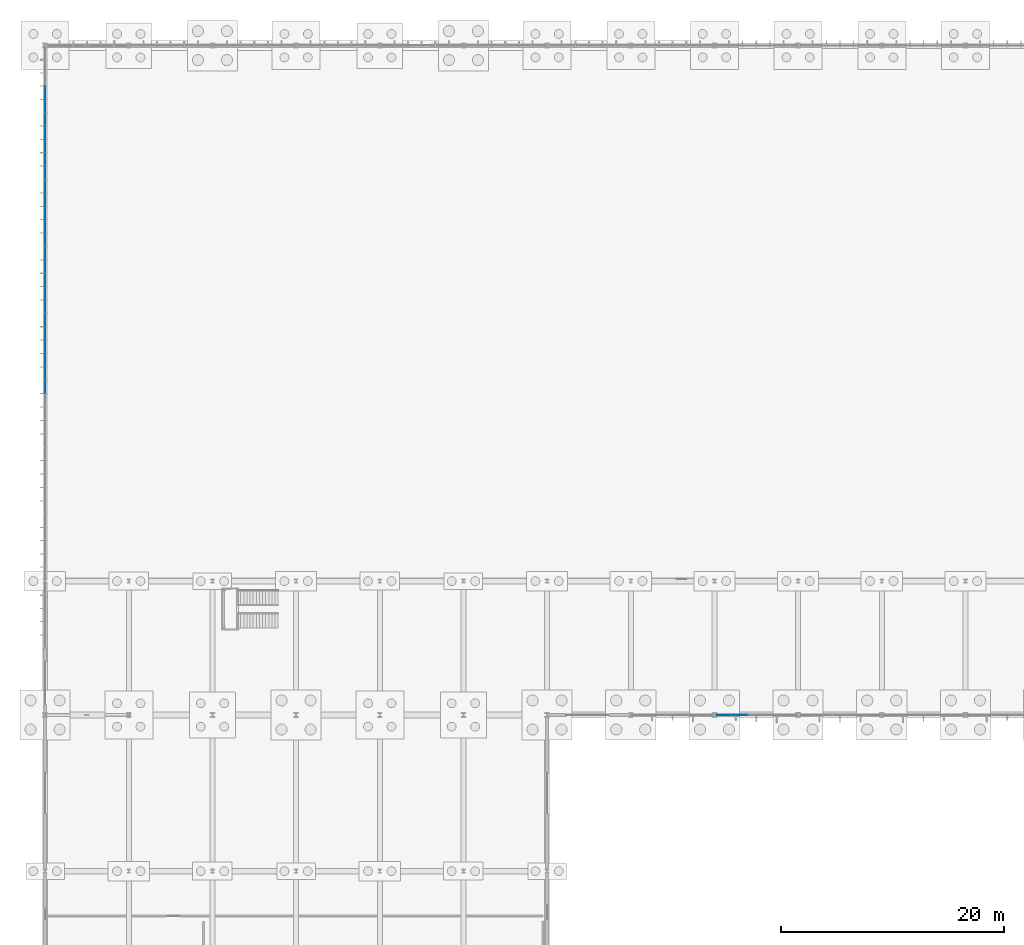
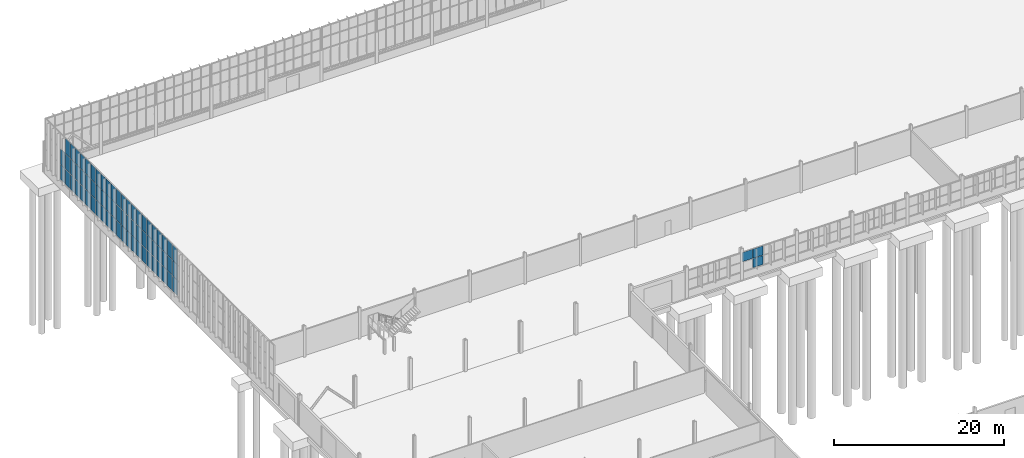
# One storey, part 87 of 136: 71 plates, 7 elements without a shape of their own.
"""IFC4 building model written with IfcOpenShell, lengths in metres."""

import ifcopenshell
import ifcopenshell.guid

model = None  # the IFC model being written
_history = None  # IfcOwnerHistory: only IFC2X3 demands one
_inside = {}  # id of a spatial element -> (the spatial element, [elements in it])
_under = {}  # id of a project, library or spatial element -> (it, [spatial elements below it])
_declared = {}  # id of a project -> (the project, [libraries it declares])
_typed = {}  # id of a type object -> (the type object, [elements of that type])
_made_of = {}  # id of a material, layer set ... -> (it, [elements and type objects made of it])


def new_model(schema):
    """Start an empty IFC model of exactly this schema.

    Asked for "IFC4X3", IfcOpenShell would pick the latest addendum, in which some entities
    have other attributes; the version numbers below select the first issue.
    IFC2X3 requires an IfcOwnerHistory on every rooted entity: one is made here for all.
    """
    global model, _history
    if schema == "IFC4X3":
        model = ifcopenshell.file(schema_version=(4, 3, 0, 0))
    else:
        model = ifcopenshell.file(schema=schema)
    _inside.clear()
    _under.clear()
    _declared.clear()
    _typed.clear()
    _made_of.clear()
    _history = None
    if model.schema == "IFC2X3":
        org = make("IfcOrganization", Name="unknown")
        user = make(
            "IfcPersonAndOrganization",
            ThePerson=make("IfcPerson", FamilyName="unknown"),
            TheOrganization=org,
        )
        app = make(
            "IfcApplication",
            ApplicationDeveloper=org,
            Version="unknown",
            ApplicationFullName="unknown",
            ApplicationIdentifier="unknown",
        )
        _history = make(
            "IfcOwnerHistory",
            OwningUser=user,
            OwningApplication=app,
            ChangeAction="ADDED",
            CreationDate=0,
        )
    return model


def make(cls, **values):
    """One entity of the class cls with the attributes given. An attribute that is None is left unset."""
    return model.create_entity(
        cls, **{name: value for name, value in values.items() if value is not None}
    )


def rooted(cls, **values):
    """An entity with a GlobalId (a new one), such as an element, a storey or a relation."""
    return make(cls, GlobalId=ifcopenshell.guid.new(), OwnerHistory=_history, **values)


def si_unit(unit_type, name, prefix=None):
    """IfcSIUnit, for example si_unit("LENGTHUNIT", "METRE", prefix="MILLI")."""
    return make("IfcSIUnit", UnitType=unit_type, Prefix=prefix, Name=name)


def assignment(units):
    """IfcUnitAssignment: the units of a project."""
    return None if units is None else make("IfcUnitAssignment", Units=units)


def point(xyz):
    """IfcCartesianPoint."""
    return None if xyz is None else make("IfcCartesianPoint", Coordinates=xyz)


def direction(xyz):
    """IfcDirection."""
    return None if xyz is None else make("IfcDirection", DirectionRatios=xyz)


def frame(location, z_axis=None, x_axis=None):
    """IfcAxis2Placement3D, a coordinate frame: its origin and axes. An axis left out is left unset."""
    return make(
        "IfcAxis2Placement3D",
        Location=point(location),
        Axis=direction(z_axis),
        RefDirection=direction(x_axis),
    )


def frame_2d(location, x_axis=None):
    """IfcAxis2Placement2D, a coordinate frame in the plane: its origin and x axis."""
    return make(
        "IfcAxis2Placement2D", Location=point(location), RefDirection=direction(x_axis)
    )


def origin():
    """The frame at (0, 0, 0) with its axes left unset."""
    return frame((0.0, 0.0, 0.0))


def origin_2d():
    """The frame at (0, 0) in the plane with its x axis left unset."""
    return frame_2d((0.0, 0.0))


def place(relative_to, where):
    """IfcLocalPlacement: puts the frame where relative to a parent placement (None: the world)."""
    return make(
        "IfcLocalPlacement", PlacementRelTo=relative_to, RelativePlacement=where
    )


def context(
    kind, dimensions, precision=None, world=None, true_north=None, identifier=None
):
    """IfcGeometricRepresentationContext, for example the 3D "Model" context."""
    return make(
        "IfcGeometricRepresentationContext",
        ContextIdentifier=identifier,
        ContextType=kind,
        CoordinateSpaceDimension=dimensions,
        Precision=precision,
        WorldCoordinateSystem=world,
        TrueNorth=true_north,
    )


def subcontext(parent, identifier, kind, view, scale=None):
    """IfcGeometricRepresentationSubContext, for example "Body" below "Model"."""
    return make(
        "IfcGeometricRepresentationSubContext",
        ContextIdentifier=identifier,
        ContextType=kind,
        ParentContext=parent,
        TargetScale=scale,
        TargetView=view,
    )


def project(units=None, contexts=None):
    """IfcProject with its units and contexts."""
    return rooted(
        "IfcProject",
        Name="project",
        RepresentationContexts=contexts,
        UnitsInContext=assignment(units),
    )


def spatial(cls, under=None, at=None, **own):
    """A site, building, storey or space (cls), placed at a placement, below another one or the project."""
    s = rooted(cls, ObjectPlacement=at, **own)
    if under is not None:
        _under.setdefault(under.id(), (under, []))[1].append(s)
    return s


def profile(cls, at=None, kind="AREA", **sizes):
    """A parametric profile (cls). Its sizes go by their IFC names, for example OverallWidth=200.0."""
    return make(cls, ProfileType=kind, Position=at, **sizes)


def rectangle(**sizes):
    """IfcRectangleProfileDef."""
    return profile("IfcRectangleProfileDef", **sizes)


def extrude(swept, where, along, depth):
    """IfcExtrudedAreaSolid: the profile swept, set in the frame where, extruded along a direction by depth."""
    return make(
        "IfcExtrudedAreaSolid",
        SweptArea=swept,
        Position=where,
        ExtrudedDirection=direction(along),
        Depth=depth,
    )


def shape(context_of_items, identifier, shape_type, items):
    """IfcShapeRepresentation: the items that make up one representation, for example the "Body"."""
    return make(
        "IfcShapeRepresentation",
        ContextOfItems=context_of_items,
        RepresentationIdentifier=identifier,
        RepresentationType=shape_type,
        Items=items,
    )


def material(Name=None, Category=None):
    """IfcMaterial."""
    return make("IfcMaterial", Name=Name, Category=Category)


def layer(
    of_material, thickness, ventilated=None, Name=None, Category=None, Priority=None
):
    """IfcMaterialLayer: one layer of a wall or slab, of a material (None: an air gap)."""
    return make(
        "IfcMaterialLayer",
        Material=of_material,
        LayerThickness=thickness,
        IsVentilated=ventilated,
        Name=Name,
        Category=Category,
        Priority=Priority,
    )


def layer_set(layers, Name=None):
    """IfcMaterialLayerSet."""
    return make("IfcMaterialLayerSet", MaterialLayers=layers, LayerSetName=Name)


def made_of(thing, what):
    """Note that an element or type object is made of a material, layer set ...; save() writes the relation."""
    if what is not None:
        _made_of.setdefault(what.id(), (what, []))[1].append(thing)
    return thing


def type_object(cls, material=None, **own):
    """A type object (cls), such as IfcWallType, which elements share."""
    return made_of(rooted(cls, **own), material)


def element(
    cls,
    number,
    at=None,
    inside=None,
    cuts=None,
    type_object=None,
    material=None,
    context=None,
    identifier="Body",
    shape_type=None,
    held_by="IfcProductDefinitionShape",
    body=None,
    shapes=None,
    **own,
):
    """One element of the class cls, such as IfcWall. Its Tag is "e" and its number.

    at: its placement. inside: the storey or other place that contains it. cuts: it is an
    opening in that element (IfcRelVoidsElement). A single representation is given by context,
    identifier, shape_type and body (its items); several are given by shapes. held_by: the class
    of the entity that holds the representations. save() writes the other relations.
    """
    e = rooted(cls, Tag="e%d" % number, ObjectPlacement=at, **own)
    if body is not None:
        shapes = [shape(context, identifier, shape_type, body)]
    if shapes is not None:
        e.Representation = make(held_by, Representations=shapes)
    if inside is not None:
        _inside.setdefault(inside.id(), (inside, []))[1].append(e)
    if cuts is not None:
        rooted(
            "IfcRelVoidsElement", RelatingBuildingElement=cuts, RelatedOpeningElement=e
        )
    if type_object is not None:
        _typed.setdefault(type_object.id(), (type_object, []))[1].append(e)
    return made_of(e, material)


def aggregate(whole, parts):
    """IfcRelAggregates: a whole, such as a stair, and the parts it consists of."""
    return rooted("IfcRelAggregates", RelatingObject=whole, RelatedObjects=parts)


def save(model, path):
    """Write the relations noted so far, then the file.

    IfcRelAggregates (storeys below a building ...), IfcRelContainedInSpatialStructure (elements
    in a storey), IfcRelDefinesByType, IfcRelAssociatesMaterial and IfcRelDeclares: one each for
    every whole, place, type object, material and project.
    """
    for whole, parts in _under.values():
        aggregate(whole, parts)
    for where, things in _inside.values():
        rooted(
            "IfcRelContainedInSpatialStructure",
            RelatedElements=things,
            RelatingStructure=where,
        )
    for kind, things in _typed.values():
        rooted("IfcRelDefinesByType", RelatedObjects=things, RelatingType=kind)
    for what, things in _made_of.values():
        rooted("IfcRelAssociatesMaterial", RelatedObjects=things, RelatingMaterial=what)
    for by, libraries in _declared.values():
        rooted("IfcRelDeclares", RelatingContext=by, RelatedDefinitions=libraries)
    model.write(path)


model = new_model("IFC4")

# Units and contexts
model_context = context("Model", 3, precision=1e-05, world=origin(), true_north=direction((0.0, 1.0)))
body_context = subcontext(model_context, "Body", "Model", "MODEL_VIEW")
ifc_project = project(units=[si_unit("LENGTHUNIT", "METRE"), si_unit("AREAUNIT", "SQUARE_METRE"), si_unit("VOLUMEUNIT", "CUBIC_METRE"), si_unit("PLANEANGLEUNIT", "RADIAN"), si_unit("MASSUNIT", "GRAM", prefix="KILO")], contexts=[model_context])

# Site, building, storey
site_placement = place(None, origin())
site = spatial("IfcSite", under=ifc_project, at=site_placement, CompositionType="ELEMENT")
building_placement = place(site_placement, origin())
building = spatial("IfcBuilding", under=site, at=building_placement, Name="Solvenia Promenade Tram Depot", CompositionType="ELEMENT")
storey_placement = place(building_placement, origin())
storey = spatial("IfcBuildingStorey", under=building, at=storey_placement, Name="L00", CompositionType="ELEMENT", Elevation=0.0)

# Curtain wall, plates
ifc_material_1 = material(Name="Anodized aluminium AW-6063 T6", Category="aluminium")
ifc_layer_1 = layer(ifc_material_1, 0.159912109375, Name="Anodized aluminium AW-6063 T6", Category="aluminium")
ifc_layer_set_1 = layer_set([ifc_layer_1], Name="Anodized aluminium AW-6063 T6")
curtain_wall_type_1 = type_object("IfcCurtainWallType", Name="CW-Channel-1200", PredefinedType="NOTDEFINED", material=ifc_layer_set_1)
curtain_wall_1_placement = place(storey_placement, origin())
curtain_wall_1 = element("IfcCurtainWall", 1, at=curtain_wall_1_placement, inside=storey, type_object=curtain_wall_type_1, Name="Curtain Wall CW-V1W-05", PredefinedType="NOTDEFINED")
ifc_material_2 = material(Name="Low-iron translucent U-profile channel glass", Category="glass")
ifc_layer_2 = layer(ifc_material_2, 0.028076171875, Name="Low-iron translucent U-profile channel glass", Category="glass")
ifc_layer_set_2 = layer_set([ifc_layer_2], Name="Low-iron translucent U-profile channel glass")
plate_type_1 = type_object("IfcPlateType", Name="CWP-Panel-1", PredefinedType="CURTAIN_PANEL", material=ifc_layer_set_2)
plate_1_placement = place(storey_placement, frame((0.0, 95.386962890625, 1.2099609375), z_axis=(0.0, 0.0, 1.0), x_axis=(0.0, 1.0, 0.0)))
plate_1 = element("IfcPlate", 2, at=plate_1_placement, type_object=plate_type_1, Name="CW-1 panel 5.1", PredefinedType="CURTAIN_PANEL", context=body_context, shape_type="SweptSolid", body=[
    extrude(rectangle(XDim=1.1220703125, YDim=0.028076171875, at=origin_2d()), origin(), (0.0, 0.0, 1.0), 2.159912109375),
])
plate_2_placement = place(storey_placement, frame((0.0, 95.386962890625, 3.429931640625), z_axis=(0.0, 0.0, 1.0), x_axis=(0.0, 1.0, 0.0)))
plate_2 = element("IfcPlate", 3, at=plate_2_placement, type_object=plate_type_1, Name="CW-1 panel 5.2", PredefinedType="CURTAIN_PANEL", context=body_context, shape_type="SweptSolid", body=[
    extrude(rectangle(XDim=1.1220703125, YDim=0.028076171875, at=origin_2d()), origin(), (0.0, 0.0, 1.0), 2.18994140625),
])
plate_3_placement = place(storey_placement, frame((0.0, 95.386962890625, 5.68017578125), z_axis=(0.0, 0.0, 1.0), x_axis=(0.0, 1.0, 0.0)))
plate_3 = element("IfcPlate", 4, at=plate_3_placement, type_object=plate_type_1, Name="CW-1 panel 5.3", PredefinedType="CURTAIN_PANEL", context=body_context, shape_type="SweptSolid", body=[
    extrude(rectangle(XDim=1.1220703125, YDim=0.028076171875, at=origin_2d()), origin(), (0.0, 0.0, 1.0), 2.159912109375),
])
aggregate(curtain_wall_1, [plate_1, plate_2, plate_3])

curtain_wall_2_placement = place(storey_placement, origin())
curtain_wall_2 = element("IfcCurtainWall", 5, at=curtain_wall_2_placement, inside=storey, type_object=curtain_wall_type_1, Name="Curtain Wall CW-V1W-06", PredefinedType="NOTDEFINED")
plate_4_placement = place(storey_placement, frame((0.0, 96.613037109375, 1.2099609375), z_axis=(0.0, 0.0, 1.0), x_axis=(0.0, 1.0, 0.0)))
plate_4 = element("IfcPlate", 6, at=plate_4_placement, type_object=plate_type_1, Name="CW-1 panel 1.1", PredefinedType="CURTAIN_PANEL", context=body_context, shape_type="SweptSolid", body=[
    extrude(rectangle(XDim=1.1220703125, YDim=0.028076171875, at=origin_2d()), origin(), (0.0, 0.0, 1.0), 2.159912109375),
])
plate_5_placement = place(storey_placement, frame((0.0, 96.613037109375, 3.429931640625), z_axis=(0.0, 0.0, 1.0), x_axis=(0.0, 1.0, 0.0)))
plate_5 = element("IfcPlate", 7, at=plate_5_placement, type_object=plate_type_1, Name="CW-1 panel 1.2", PredefinedType="CURTAIN_PANEL", context=body_context, shape_type="SweptSolid", body=[
    extrude(rectangle(XDim=1.1220703125, YDim=0.028076171875, at=origin_2d()), origin(), (0.0, 0.0, 1.0), 2.18994140625),
])
plate_6_placement = place(storey_placement, frame((0.0, 96.613037109375, 5.68017578125), z_axis=(0.0, 0.0, 1.0), x_axis=(0.0, 1.0, 0.0)))
plate_6 = element("IfcPlate", 8, at=plate_6_placement, type_object=plate_type_1, Name="CW-1 panel 1.3", PredefinedType="CURTAIN_PANEL", context=body_context, shape_type="SweptSolid", body=[
    extrude(rectangle(XDim=1.1220703125, YDim=0.028076171875, at=origin_2d()), origin(), (0.0, 0.0, 1.0), 2.159912109375),
])
plate_7_placement = place(storey_placement, frame((0.0, 97.800048828125, 1.2099609375), z_axis=(0.0, 0.0, 1.0), x_axis=(0.0, 1.0, 0.0)))
plate_7 = element("IfcPlate", 9, at=plate_7_placement, type_object=plate_type_1, Name="CW-1 panel 2.1", PredefinedType="CURTAIN_PANEL", context=body_context, shape_type="SweptSolid", body=[
    extrude(rectangle(XDim=1.14794921875, YDim=0.028076171875, at=origin_2d()), origin(), (0.0, 0.0, 1.0), 2.159912109375),
])
plate_8_placement = place(storey_placement, frame((0.0, 97.800048828125, 3.429931640625), z_axis=(0.0, 0.0, 1.0), x_axis=(0.0, 1.0, 0.0)))
plate_8 = element("IfcPlate", 10, at=plate_8_placement, type_object=plate_type_1, Name="CW-1 panel 2.2", PredefinedType="CURTAIN_PANEL", context=body_context, shape_type="SweptSolid", body=[
    extrude(rectangle(XDim=1.14794921875, YDim=0.028076171875, at=origin_2d()), origin(), (0.0, 0.0, 1.0), 2.18994140625),
])
plate_9_placement = place(storey_placement, frame((0.0, 97.800048828125, 5.68017578125), z_axis=(0.0, 0.0, 1.0), x_axis=(0.0, 1.0, 0.0)))
plate_9 = element("IfcPlate", 11, at=plate_9_placement, type_object=plate_type_1, Name="CW-1 panel 2.3", PredefinedType="CURTAIN_PANEL", context=body_context, shape_type="SweptSolid", body=[
    extrude(rectangle(XDim=1.14794921875, YDim=0.028076171875, at=origin_2d()), origin(), (0.0, 0.0, 1.0), 2.159912109375),
])
plate_10_placement = place(storey_placement, frame((0.0, 99.0, 1.2099609375), z_axis=(0.0, 0.0, 1.0), x_axis=(0.0, 1.0, 0.0)))
plate_10 = element("IfcPlate", 12, at=plate_10_placement, type_object=plate_type_1, Name="CW-1 panel 3.1", PredefinedType="CURTAIN_PANEL", context=body_context, shape_type="SweptSolid", body=[
    extrude(rectangle(XDim=1.14794921875, YDim=0.028076171875, at=origin_2d()), origin(), (0.0, 0.0, 1.0), 2.159912109375),
])
plate_11_placement = place(storey_placement, frame((0.0, 99.0, 3.429931640625), z_axis=(0.0, 0.0, 1.0), x_axis=(0.0, 1.0, 0.0)))
plate_11 = element("IfcPlate", 13, at=plate_11_placement, type_object=plate_type_1, Name="CW-1 panel 3.2", PredefinedType="CURTAIN_PANEL", context=body_context, shape_type="SweptSolid", body=[
    extrude(rectangle(XDim=1.14794921875, YDim=0.028076171875, at=origin_2d()), origin(), (0.0, 0.0, 1.0), 2.18994140625),
])
plate_12_placement = place(storey_placement, frame((0.0, 99.0, 5.68017578125), z_axis=(0.0, 0.0, 1.0), x_axis=(0.0, 1.0, 0.0)))
plate_12 = element("IfcPlate", 14, at=plate_12_placement, type_object=plate_type_1, Name="CW-1 panel 3.3", PredefinedType="CURTAIN_PANEL", context=body_context, shape_type="SweptSolid", body=[
    extrude(rectangle(XDim=1.14794921875, YDim=0.028076171875, at=origin_2d()), origin(), (0.0, 0.0, 1.0), 2.159912109375),
])
plate_13_placement = place(storey_placement, frame((0.0, 100.199951171875, 1.2099609375), z_axis=(0.0, 0.0, 1.0), x_axis=(0.0, 1.0, 0.0)))
plate_13 = element("IfcPlate", 15, at=plate_13_placement, type_object=plate_type_1, Name="CW-1 panel 4.1", PredefinedType="CURTAIN_PANEL", context=body_context, shape_type="SweptSolid", body=[
    extrude(rectangle(XDim=1.14794921875, YDim=0.028076171875, at=origin_2d()), origin(), (0.0, 0.0, 1.0), 2.159912109375),
])
plate_14_placement = place(storey_placement, frame((0.0, 100.199951171875, 3.429931640625), z_axis=(0.0, 0.0, 1.0), x_axis=(0.0, 1.0, 0.0)))
plate_14 = element("IfcPlate", 16, at=plate_14_placement, type_object=plate_type_1, Name="CW-1 panel 4.2", PredefinedType="CURTAIN_PANEL", context=body_context, shape_type="SweptSolid", body=[
    extrude(rectangle(XDim=1.14794921875, YDim=0.028076171875, at=origin_2d()), origin(), (0.0, 0.0, 1.0), 2.18994140625),
])
plate_15_placement = place(storey_placement, frame((0.0, 100.199951171875, 5.68017578125), z_axis=(0.0, 0.0, 1.0), x_axis=(0.0, 1.0, 0.0)))
plate_15 = element("IfcPlate", 17, at=plate_15_placement, type_object=plate_type_1, Name="CW-1 panel 4.3", PredefinedType="CURTAIN_PANEL", context=body_context, shape_type="SweptSolid", body=[
    extrude(rectangle(XDim=1.14794921875, YDim=0.028076171875, at=origin_2d()), origin(), (0.0, 0.0, 1.0), 2.159912109375),
])
plate_16_placement = place(storey_placement, frame((0.0, 101.386962890625, 1.2099609375), z_axis=(0.0, 0.0, 1.0), x_axis=(0.0, 1.0, 0.0)))
plate_16 = element("IfcPlate", 18, at=plate_16_placement, type_object=plate_type_1, Name="CW-1 panel 5.1", PredefinedType="CURTAIN_PANEL", context=body_context, shape_type="SweptSolid", body=[
    extrude(rectangle(XDim=1.1220703125, YDim=0.028076171875, at=origin_2d()), origin(), (0.0, 0.0, 1.0), 2.159912109375),
])
plate_17_placement = place(storey_placement, frame((0.0, 101.386962890625, 3.429931640625), z_axis=(0.0, 0.0, 1.0), x_axis=(0.0, 1.0, 0.0)))
plate_17 = element("IfcPlate", 19, at=plate_17_placement, type_object=plate_type_1, Name="CW-1 panel 5.2", PredefinedType="CURTAIN_PANEL", context=body_context, shape_type="SweptSolid", body=[
    extrude(rectangle(XDim=1.1220703125, YDim=0.028076171875, at=origin_2d()), origin(), (0.0, 0.0, 1.0), 2.18994140625),
])
plate_18_placement = place(storey_placement, frame((0.0, 101.386962890625, 5.68017578125), z_axis=(0.0, 0.0, 1.0), x_axis=(0.0, 1.0, 0.0)))
plate_18 = element("IfcPlate", 20, at=plate_18_placement, type_object=plate_type_1, Name="CW-1 panel 5.3", PredefinedType="CURTAIN_PANEL", context=body_context, shape_type="SweptSolid", body=[
    extrude(rectangle(XDim=1.1220703125, YDim=0.028076171875, at=origin_2d()), origin(), (0.0, 0.0, 1.0), 2.159912109375),
])
aggregate(curtain_wall_2, [plate_4, plate_5, plate_6, plate_7, plate_8, plate_9, plate_10, plate_11, plate_12, plate_13, plate_14, plate_15, plate_16, plate_17, plate_18])

curtain_wall_3_placement = place(storey_placement, origin())
curtain_wall_3 = element("IfcCurtainWall", 21, at=curtain_wall_3_placement, inside=storey, type_object=curtain_wall_type_1, Name="Curtain Wall CW-V1W-07", PredefinedType="NOTDEFINED")
plate_19_placement = place(storey_placement, frame((0.0, 102.613037109375, 1.2099609375), z_axis=(0.0, 0.0, 1.0), x_axis=(0.0, 1.0, 0.0)))
plate_19 = element("IfcPlate", 22, at=plate_19_placement, type_object=plate_type_1, Name="CW-1 panel 1.1", PredefinedType="CURTAIN_PANEL", context=body_context, shape_type="SweptSolid", body=[
    extrude(rectangle(XDim=1.1220703125, YDim=0.028076171875, at=origin_2d()), origin(), (0.0, 0.0, 1.0), 2.159912109375),
])
plate_20_placement = place(storey_placement, frame((0.0, 102.613037109375, 3.429931640625), z_axis=(0.0, 0.0, 1.0), x_axis=(0.0, 1.0, 0.0)))
plate_20 = element("IfcPlate", 23, at=plate_20_placement, type_object=plate_type_1, Name="CW-1 panel 1.2", PredefinedType="CURTAIN_PANEL", context=body_context, shape_type="SweptSolid", body=[
    extrude(rectangle(XDim=1.1220703125, YDim=0.028076171875, at=origin_2d()), origin(), (0.0, 0.0, 1.0), 2.18994140625),
])
plate_21_placement = place(storey_placement, frame((0.0, 102.613037109375, 5.68017578125), z_axis=(0.0, 0.0, 1.0), x_axis=(0.0, 1.0, 0.0)))
plate_21 = element("IfcPlate", 24, at=plate_21_placement, type_object=plate_type_1, Name="CW-1 panel 1.3", PredefinedType="CURTAIN_PANEL", context=body_context, shape_type="SweptSolid", body=[
    extrude(rectangle(XDim=1.1220703125, YDim=0.028076171875, at=origin_2d()), origin(), (0.0, 0.0, 1.0), 2.159912109375),
])
plate_22_placement = place(storey_placement, frame((0.0, 103.800048828125, 1.2099609375), z_axis=(0.0, 0.0, 1.0), x_axis=(0.0, 1.0, 0.0)))
plate_22 = element("IfcPlate", 25, at=plate_22_placement, type_object=plate_type_1, Name="CW-1 panel 2.1", PredefinedType="CURTAIN_PANEL", context=body_context, shape_type="SweptSolid", body=[
    extrude(rectangle(XDim=1.14794921875, YDim=0.028076171875, at=origin_2d()), origin(), (0.0, 0.0, 1.0), 2.159912109375),
])
plate_23_placement = place(storey_placement, frame((0.0, 103.800048828125, 3.429931640625), z_axis=(0.0, 0.0, 1.0), x_axis=(0.0, 1.0, 0.0)))
plate_23 = element("IfcPlate", 26, at=plate_23_placement, type_object=plate_type_1, Name="CW-1 panel 2.2", PredefinedType="CURTAIN_PANEL", context=body_context, shape_type="SweptSolid", body=[
    extrude(rectangle(XDim=1.14794921875, YDim=0.028076171875, at=origin_2d()), origin(), (0.0, 0.0, 1.0), 2.18994140625),
])
plate_24_placement = place(storey_placement, frame((0.0, 103.800048828125, 5.68017578125), z_axis=(0.0, 0.0, 1.0), x_axis=(0.0, 1.0, 0.0)))
plate_24 = element("IfcPlate", 27, at=plate_24_placement, type_object=plate_type_1, Name="CW-1 panel 2.3", PredefinedType="CURTAIN_PANEL", context=body_context, shape_type="SweptSolid", body=[
    extrude(rectangle(XDim=1.14794921875, YDim=0.028076171875, at=origin_2d()), origin(), (0.0, 0.0, 1.0), 2.159912109375),
])
plate_25_placement = place(storey_placement, frame((0.0, 105.0, 1.2099609375), z_axis=(0.0, 0.0, 1.0), x_axis=(0.0, 1.0, 0.0)))
plate_25 = element("IfcPlate", 28, at=plate_25_placement, type_object=plate_type_1, Name="CW-1 panel 3.1", PredefinedType="CURTAIN_PANEL", context=body_context, shape_type="SweptSolid", body=[
    extrude(rectangle(XDim=1.14794921875, YDim=0.028076171875, at=origin_2d()), origin(), (0.0, 0.0, 1.0), 2.159912109375),
])
plate_26_placement = place(storey_placement, frame((0.0, 105.0, 3.429931640625), z_axis=(0.0, 0.0, 1.0), x_axis=(0.0, 1.0, 0.0)))
plate_26 = element("IfcPlate", 29, at=plate_26_placement, type_object=plate_type_1, Name="CW-1 panel 3.2", PredefinedType="CURTAIN_PANEL", context=body_context, shape_type="SweptSolid", body=[
    extrude(rectangle(XDim=1.14794921875, YDim=0.028076171875, at=origin_2d()), origin(), (0.0, 0.0, 1.0), 2.18994140625),
])
plate_27_placement = place(storey_placement, frame((0.0, 105.0, 5.68017578125), z_axis=(0.0, 0.0, 1.0), x_axis=(0.0, 1.0, 0.0)))
plate_27 = element("IfcPlate", 30, at=plate_27_placement, type_object=plate_type_1, Name="CW-1 panel 3.3", PredefinedType="CURTAIN_PANEL", context=body_context, shape_type="SweptSolid", body=[
    extrude(rectangle(XDim=1.14794921875, YDim=0.028076171875, at=origin_2d()), origin(), (0.0, 0.0, 1.0), 2.159912109375),
])
plate_28_placement = place(storey_placement, frame((0.0, 106.199951171875, 1.2099609375), z_axis=(0.0, 0.0, 1.0), x_axis=(0.0, 1.0, 0.0)))
plate_28 = element("IfcPlate", 31, at=plate_28_placement, type_object=plate_type_1, Name="CW-1 panel 4.1", PredefinedType="CURTAIN_PANEL", context=body_context, shape_type="SweptSolid", body=[
    extrude(rectangle(XDim=1.14794921875, YDim=0.028076171875, at=origin_2d()), origin(), (0.0, 0.0, 1.0), 2.159912109375),
])
plate_29_placement = place(storey_placement, frame((0.0, 106.199951171875, 3.429931640625), z_axis=(0.0, 0.0, 1.0), x_axis=(0.0, 1.0, 0.0)))
plate_29 = element("IfcPlate", 32, at=plate_29_placement, type_object=plate_type_1, Name="CW-1 panel 4.2", PredefinedType="CURTAIN_PANEL", context=body_context, shape_type="SweptSolid", body=[
    extrude(rectangle(XDim=1.14794921875, YDim=0.028076171875, at=origin_2d()), origin(), (0.0, 0.0, 1.0), 2.18994140625),
])
plate_30_placement = place(storey_placement, frame((0.0, 106.199951171875, 5.68017578125), z_axis=(0.0, 0.0, 1.0), x_axis=(0.0, 1.0, 0.0)))
plate_30 = element("IfcPlate", 33, at=plate_30_placement, type_object=plate_type_1, Name="CW-1 panel 4.3", PredefinedType="CURTAIN_PANEL", context=body_context, shape_type="SweptSolid", body=[
    extrude(rectangle(XDim=1.14794921875, YDim=0.028076171875, at=origin_2d()), origin(), (0.0, 0.0, 1.0), 2.159912109375),
])
plate_31_placement = place(storey_placement, frame((0.0, 107.386962890625, 1.2099609375), z_axis=(0.0, 0.0, 1.0), x_axis=(0.0, 1.0, 0.0)))
plate_31 = element("IfcPlate", 34, at=plate_31_placement, type_object=plate_type_1, Name="CW-1 panel 5.1", PredefinedType="CURTAIN_PANEL", context=body_context, shape_type="SweptSolid", body=[
    extrude(rectangle(XDim=1.1220703125, YDim=0.028076171875, at=origin_2d()), origin(), (0.0, 0.0, 1.0), 2.159912109375),
])
plate_32_placement = place(storey_placement, frame((0.0, 107.386962890625, 3.429931640625), z_axis=(0.0, 0.0, 1.0), x_axis=(0.0, 1.0, 0.0)))
plate_32 = element("IfcPlate", 35, at=plate_32_placement, type_object=plate_type_1, Name="CW-1 panel 5.2", PredefinedType="CURTAIN_PANEL", context=body_context, shape_type="SweptSolid", body=[
    extrude(rectangle(XDim=1.1220703125, YDim=0.028076171875, at=origin_2d()), origin(), (0.0, 0.0, 1.0), 2.18994140625),
])
plate_33_placement = place(storey_placement, frame((0.0, 107.386962890625, 5.68017578125), z_axis=(0.0, 0.0, 1.0), x_axis=(0.0, 1.0, 0.0)))
plate_33 = element("IfcPlate", 36, at=plate_33_placement, type_object=plate_type_1, Name="CW-1 panel 5.3", PredefinedType="CURTAIN_PANEL", context=body_context, shape_type="SweptSolid", body=[
    extrude(rectangle(XDim=1.1220703125, YDim=0.028076171875, at=origin_2d()), origin(), (0.0, 0.0, 1.0), 2.159912109375),
])
aggregate(curtain_wall_3, [plate_19, plate_20, plate_21, plate_22, plate_23, plate_24, plate_25, plate_26, plate_27, plate_28, plate_29, plate_30, plate_31, plate_32, plate_33])

curtain_wall_4_placement = place(storey_placement, origin())
curtain_wall_4 = element("IfcCurtainWall", 37, at=curtain_wall_4_placement, inside=storey, type_object=curtain_wall_type_1, Name="Curtain Wall CW-V1W-08", PredefinedType="NOTDEFINED")
plate_34_placement = place(storey_placement, frame((0.0, 108.613037109375, 1.2099609375), z_axis=(0.0, 0.0, 1.0), x_axis=(0.0, 1.0, 0.0)))
plate_34 = element("IfcPlate", 38, at=plate_34_placement, type_object=plate_type_1, Name="CW-1 panel 1.1", PredefinedType="CURTAIN_PANEL", context=body_context, shape_type="SweptSolid", body=[
    extrude(rectangle(XDim=1.1220703125, YDim=0.028076171875, at=origin_2d()), origin(), (0.0, 0.0, 1.0), 2.159912109375),
])
plate_35_placement = place(storey_placement, frame((0.0, 108.613037109375, 3.429931640625), z_axis=(0.0, 0.0, 1.0), x_axis=(0.0, 1.0, 0.0)))
plate_35 = element("IfcPlate", 39, at=plate_35_placement, type_object=plate_type_1, Name="CW-1 panel 1.2", PredefinedType="CURTAIN_PANEL", context=body_context, shape_type="SweptSolid", body=[
    extrude(rectangle(XDim=1.1220703125, YDim=0.028076171875, at=origin_2d()), origin(), (0.0, 0.0, 1.0), 2.18994140625),
])
plate_36_placement = place(storey_placement, frame((0.0, 108.613037109375, 5.68017578125), z_axis=(0.0, 0.0, 1.0), x_axis=(0.0, 1.0, 0.0)))
plate_36 = element("IfcPlate", 40, at=plate_36_placement, type_object=plate_type_1, Name="CW-1 panel 1.3", PredefinedType="CURTAIN_PANEL", context=body_context, shape_type="SweptSolid", body=[
    extrude(rectangle(XDim=1.1220703125, YDim=0.028076171875, at=origin_2d()), origin(), (0.0, 0.0, 1.0), 2.159912109375),
])
plate_37_placement = place(storey_placement, frame((0.0, 109.800048828125, 1.2099609375), z_axis=(0.0, 0.0, 1.0), x_axis=(0.0, 1.0, 0.0)))
plate_37 = element("IfcPlate", 41, at=plate_37_placement, type_object=plate_type_1, Name="CW-1 panel 2.1", PredefinedType="CURTAIN_PANEL", context=body_context, shape_type="SweptSolid", body=[
    extrude(rectangle(XDim=1.14794921875, YDim=0.028076171875, at=origin_2d()), origin(), (0.0, 0.0, 1.0), 2.159912109375),
])
plate_38_placement = place(storey_placement, frame((0.0, 109.800048828125, 3.429931640625), z_axis=(0.0, 0.0, 1.0), x_axis=(0.0, 1.0, 0.0)))
plate_38 = element("IfcPlate", 42, at=plate_38_placement, type_object=plate_type_1, Name="CW-1 panel 2.2", PredefinedType="CURTAIN_PANEL", context=body_context, shape_type="SweptSolid", body=[
    extrude(rectangle(XDim=1.14794921875, YDim=0.028076171875, at=origin_2d()), origin(), (0.0, 0.0, 1.0), 2.18994140625),
])
plate_39_placement = place(storey_placement, frame((0.0, 109.800048828125, 5.68017578125), z_axis=(0.0, 0.0, 1.0), x_axis=(0.0, 1.0, 0.0)))
plate_39 = element("IfcPlate", 43, at=plate_39_placement, type_object=plate_type_1, Name="CW-1 panel 2.3", PredefinedType="CURTAIN_PANEL", context=body_context, shape_type="SweptSolid", body=[
    extrude(rectangle(XDim=1.14794921875, YDim=0.028076171875, at=origin_2d()), origin(), (0.0, 0.0, 1.0), 2.159912109375),
])
plate_40_placement = place(storey_placement, frame((0.0, 111.0, 1.2099609375), z_axis=(0.0, 0.0, 1.0), x_axis=(0.0, 1.0, 0.0)))
plate_40 = element("IfcPlate", 44, at=plate_40_placement, type_object=plate_type_1, Name="CW-1 panel 3.1", PredefinedType="CURTAIN_PANEL", context=body_context, shape_type="SweptSolid", body=[
    extrude(rectangle(XDim=1.14794921875, YDim=0.028076171875, at=origin_2d()), origin(), (0.0, 0.0, 1.0), 2.159912109375),
])
plate_41_placement = place(storey_placement, frame((0.0, 111.0, 3.429931640625), z_axis=(0.0, 0.0, 1.0), x_axis=(0.0, 1.0, 0.0)))
plate_41 = element("IfcPlate", 45, at=plate_41_placement, type_object=plate_type_1, Name="CW-1 panel 3.2", PredefinedType="CURTAIN_PANEL", context=body_context, shape_type="SweptSolid", body=[
    extrude(rectangle(XDim=1.14794921875, YDim=0.028076171875, at=origin_2d()), origin(), (0.0, 0.0, 1.0), 2.18994140625),
])
plate_42_placement = place(storey_placement, frame((0.0, 111.0, 5.68017578125), z_axis=(0.0, 0.0, 1.0), x_axis=(0.0, 1.0, 0.0)))
plate_42 = element("IfcPlate", 46, at=plate_42_placement, type_object=plate_type_1, Name="CW-1 panel 3.3", PredefinedType="CURTAIN_PANEL", context=body_context, shape_type="SweptSolid", body=[
    extrude(rectangle(XDim=1.14794921875, YDim=0.028076171875, at=origin_2d()), origin(), (0.0, 0.0, 1.0), 2.159912109375),
])
plate_43_placement = place(storey_placement, frame((0.0, 112.199951171875, 1.2099609375), z_axis=(0.0, 0.0, 1.0), x_axis=(0.0, 1.0, 0.0)))
plate_43 = element("IfcPlate", 47, at=plate_43_placement, type_object=plate_type_1, Name="CW-1 panel 4.1", PredefinedType="CURTAIN_PANEL", context=body_context, shape_type="SweptSolid", body=[
    extrude(rectangle(XDim=1.14794921875, YDim=0.028076171875, at=origin_2d()), origin(), (0.0, 0.0, 1.0), 2.159912109375),
])
plate_44_placement = place(storey_placement, frame((0.0, 112.199951171875, 3.429931640625), z_axis=(0.0, 0.0, 1.0), x_axis=(0.0, 1.0, 0.0)))
plate_44 = element("IfcPlate", 48, at=plate_44_placement, type_object=plate_type_1, Name="CW-1 panel 4.2", PredefinedType="CURTAIN_PANEL", context=body_context, shape_type="SweptSolid", body=[
    extrude(rectangle(XDim=1.14794921875, YDim=0.028076171875, at=origin_2d()), origin(), (0.0, 0.0, 1.0), 2.18994140625),
])
plate_45_placement = place(storey_placement, frame((0.0, 112.199951171875, 5.68017578125), z_axis=(0.0, 0.0, 1.0), x_axis=(0.0, 1.0, 0.0)))
plate_45 = element("IfcPlate", 49, at=plate_45_placement, type_object=plate_type_1, Name="CW-1 panel 4.3", PredefinedType="CURTAIN_PANEL", context=body_context, shape_type="SweptSolid", body=[
    extrude(rectangle(XDim=1.14794921875, YDim=0.028076171875, at=origin_2d()), origin(), (0.0, 0.0, 1.0), 2.159912109375),
])
plate_46_placement = place(storey_placement, frame((0.0, 113.386962890625, 1.2099609375), z_axis=(0.0, 0.0, 1.0), x_axis=(0.0, 1.0, 0.0)))
plate_46 = element("IfcPlate", 50, at=plate_46_placement, type_object=plate_type_1, Name="CW-1 panel 5.1", PredefinedType="CURTAIN_PANEL", context=body_context, shape_type="SweptSolid", body=[
    extrude(rectangle(XDim=1.1220703125, YDim=0.028076171875, at=origin_2d()), origin(), (0.0, 0.0, 1.0), 2.159912109375),
])
plate_47_placement = place(storey_placement, frame((0.0, 113.386962890625, 3.429931640625), z_axis=(0.0, 0.0, 1.0), x_axis=(0.0, 1.0, 0.0)))
plate_47 = element("IfcPlate", 51, at=plate_47_placement, type_object=plate_type_1, Name="CW-1 panel 5.2", PredefinedType="CURTAIN_PANEL", context=body_context, shape_type="SweptSolid", body=[
    extrude(rectangle(XDim=1.1220703125, YDim=0.028076171875, at=origin_2d()), origin(), (0.0, 0.0, 1.0), 2.18994140625),
])
plate_48_placement = place(storey_placement, frame((0.0, 113.386962890625, 5.68017578125), z_axis=(0.0, 0.0, 1.0), x_axis=(0.0, 1.0, 0.0)))
plate_48 = element("IfcPlate", 52, at=plate_48_placement, type_object=plate_type_1, Name="CW-1 panel 5.3", PredefinedType="CURTAIN_PANEL", context=body_context, shape_type="SweptSolid", body=[
    extrude(rectangle(XDim=1.1220703125, YDim=0.028076171875, at=origin_2d()), origin(), (0.0, 0.0, 1.0), 2.159912109375),
])
aggregate(curtain_wall_4, [plate_34, plate_35, plate_36, plate_37, plate_38, plate_39, plate_40, plate_41, plate_42, plate_43, plate_44, plate_45, plate_46, plate_47, plate_48])

curtain_wall_5_placement = place(storey_placement, origin())
curtain_wall_5 = element("IfcCurtainWall", 53, at=curtain_wall_5_placement, inside=storey, type_object=curtain_wall_type_1, Name="Curtain Wall CW-V1W-09", PredefinedType="NOTDEFINED")
plate_49_placement = place(storey_placement, frame((0.0, 114.613037109375, 1.2099609375), z_axis=(0.0, 0.0, 1.0), x_axis=(0.0, 1.0, 0.0)))
plate_49 = element("IfcPlate", 54, at=plate_49_placement, type_object=plate_type_1, Name="CW-1 panel 1.1", PredefinedType="CURTAIN_PANEL", context=body_context, shape_type="SweptSolid", body=[
    extrude(rectangle(XDim=1.1220703125, YDim=0.028076171875, at=origin_2d()), origin(), (0.0, 0.0, 1.0), 2.159912109375),
])
plate_50_placement = place(storey_placement, frame((0.0, 114.613037109375, 3.429931640625), z_axis=(0.0, 0.0, 1.0), x_axis=(0.0, 1.0, 0.0)))
plate_50 = element("IfcPlate", 55, at=plate_50_placement, type_object=plate_type_1, Name="CW-1 panel 1.2", PredefinedType="CURTAIN_PANEL", context=body_context, shape_type="SweptSolid", body=[
    extrude(rectangle(XDim=1.1220703125, YDim=0.028076171875, at=origin_2d()), origin(), (0.0, 0.0, 1.0), 2.18994140625),
])
plate_51_placement = place(storey_placement, frame((0.0, 114.613037109375, 5.68017578125), z_axis=(0.0, 0.0, 1.0), x_axis=(0.0, 1.0, 0.0)))
plate_51 = element("IfcPlate", 56, at=plate_51_placement, type_object=plate_type_1, Name="CW-1 panel 1.3", PredefinedType="CURTAIN_PANEL", context=body_context, shape_type="SweptSolid", body=[
    extrude(rectangle(XDim=1.1220703125, YDim=0.028076171875, at=origin_2d()), origin(), (0.0, 0.0, 1.0), 2.159912109375),
])
plate_52_placement = place(storey_placement, frame((0.0, 115.800048828125, 1.2099609375), z_axis=(0.0, 0.0, 1.0), x_axis=(0.0, 1.0, 0.0)))
plate_52 = element("IfcPlate", 57, at=plate_52_placement, type_object=plate_type_1, Name="CW-1 panel 2.1", PredefinedType="CURTAIN_PANEL", context=body_context, shape_type="SweptSolid", body=[
    extrude(rectangle(XDim=1.14794921875, YDim=0.028076171875, at=origin_2d()), origin(), (0.0, 0.0, 1.0), 2.159912109375),
])
plate_53_placement = place(storey_placement, frame((0.0, 115.800048828125, 3.429931640625), z_axis=(0.0, 0.0, 1.0), x_axis=(0.0, 1.0, 0.0)))
plate_53 = element("IfcPlate", 58, at=plate_53_placement, type_object=plate_type_1, Name="CW-1 panel 2.2", PredefinedType="CURTAIN_PANEL", context=body_context, shape_type="SweptSolid", body=[
    extrude(rectangle(XDim=1.14794921875, YDim=0.028076171875, at=origin_2d()), origin(), (0.0, 0.0, 1.0), 2.18994140625),
])
plate_54_placement = place(storey_placement, frame((0.0, 115.800048828125, 5.68017578125), z_axis=(0.0, 0.0, 1.0), x_axis=(0.0, 1.0, 0.0)))
plate_54 = element("IfcPlate", 59, at=plate_54_placement, type_object=plate_type_1, Name="CW-1 panel 2.3", PredefinedType="CURTAIN_PANEL", context=body_context, shape_type="SweptSolid", body=[
    extrude(rectangle(XDim=1.14794921875, YDim=0.028076171875, at=origin_2d()), origin(), (0.0, 0.0, 1.0), 2.159912109375),
])
plate_55_placement = place(storey_placement, frame((0.0, 117.0, 1.2099609375), z_axis=(0.0, 0.0, 1.0), x_axis=(0.0, 1.0, 0.0)))
plate_55 = element("IfcPlate", 60, at=plate_55_placement, type_object=plate_type_1, Name="CW-1 panel 3.1", PredefinedType="CURTAIN_PANEL", context=body_context, shape_type="SweptSolid", body=[
    extrude(rectangle(XDim=1.14794921875, YDim=0.028076171875, at=origin_2d()), origin(), (0.0, 0.0, 1.0), 2.159912109375),
])
plate_56_placement = place(storey_placement, frame((0.0, 117.0, 3.429931640625), z_axis=(0.0, 0.0, 1.0), x_axis=(0.0, 1.0, 0.0)))
plate_56 = element("IfcPlate", 61, at=plate_56_placement, type_object=plate_type_1, Name="CW-1 panel 3.2", PredefinedType="CURTAIN_PANEL", context=body_context, shape_type="SweptSolid", body=[
    extrude(rectangle(XDim=1.14794921875, YDim=0.028076171875, at=origin_2d()), origin(), (0.0, 0.0, 1.0), 2.18994140625),
])
plate_57_placement = place(storey_placement, frame((0.0, 117.0, 5.68017578125), z_axis=(0.0, 0.0, 1.0), x_axis=(0.0, 1.0, 0.0)))
plate_57 = element("IfcPlate", 62, at=plate_57_placement, type_object=plate_type_1, Name="CW-1 panel 3.3", PredefinedType="CURTAIN_PANEL", context=body_context, shape_type="SweptSolid", body=[
    extrude(rectangle(XDim=1.14794921875, YDim=0.028076171875, at=origin_2d()), origin(), (0.0, 0.0, 1.0), 2.159912109375),
])
plate_58_placement = place(storey_placement, frame((0.0, 118.199951171875, 1.2099609375), z_axis=(0.0, 0.0, 1.0), x_axis=(0.0, 1.0, 0.0)))
plate_58 = element("IfcPlate", 63, at=plate_58_placement, type_object=plate_type_1, Name="CW-1 panel 4.1", PredefinedType="CURTAIN_PANEL", context=body_context, shape_type="SweptSolid", body=[
    extrude(rectangle(XDim=1.14794921875, YDim=0.028076171875, at=origin_2d()), origin(), (0.0, 0.0, 1.0), 2.159912109375),
])
plate_59_placement = place(storey_placement, frame((0.0, 118.199951171875, 3.429931640625), z_axis=(0.0, 0.0, 1.0), x_axis=(0.0, 1.0, 0.0)))
plate_59 = element("IfcPlate", 64, at=plate_59_placement, type_object=plate_type_1, Name="CW-1 panel 4.2", PredefinedType="CURTAIN_PANEL", context=body_context, shape_type="SweptSolid", body=[
    extrude(rectangle(XDim=1.14794921875, YDim=0.028076171875, at=origin_2d()), origin(), (0.0, 0.0, 1.0), 2.18994140625),
])
plate_60_placement = place(storey_placement, frame((0.0, 118.199951171875, 5.68017578125), z_axis=(0.0, 0.0, 1.0), x_axis=(0.0, 1.0, 0.0)))
plate_60 = element("IfcPlate", 65, at=plate_60_placement, type_object=plate_type_1, Name="CW-1 panel 4.3", PredefinedType="CURTAIN_PANEL", context=body_context, shape_type="SweptSolid", body=[
    extrude(rectangle(XDim=1.14794921875, YDim=0.028076171875, at=origin_2d()), origin(), (0.0, 0.0, 1.0), 2.159912109375),
])
plate_61_placement = place(storey_placement, frame((0.0, 119.386962890625, 1.2099609375), z_axis=(0.0, 0.0, 1.0), x_axis=(0.0, 1.0, 0.0)))
plate_61 = element("IfcPlate", 66, at=plate_61_placement, type_object=plate_type_1, Name="CW-1 panel 5.1", PredefinedType="CURTAIN_PANEL", context=body_context, shape_type="SweptSolid", body=[
    extrude(rectangle(XDim=1.1220703125, YDim=0.028076171875, at=origin_2d()), origin(), (0.0, 0.0, 1.0), 2.159912109375),
])
plate_62_placement = place(storey_placement, frame((0.0, 119.386962890625, 3.429931640625), z_axis=(0.0, 0.0, 1.0), x_axis=(0.0, 1.0, 0.0)))
plate_62 = element("IfcPlate", 67, at=plate_62_placement, type_object=plate_type_1, Name="CW-1 panel 5.2", PredefinedType="CURTAIN_PANEL", context=body_context, shape_type="SweptSolid", body=[
    extrude(rectangle(XDim=1.1220703125, YDim=0.028076171875, at=origin_2d()), origin(), (0.0, 0.0, 1.0), 2.18994140625),
])
plate_63_placement = place(storey_placement, frame((0.0, 119.386962890625, 5.68017578125), z_axis=(0.0, 0.0, 1.0), x_axis=(0.0, 1.0, 0.0)))
plate_63 = element("IfcPlate", 68, at=plate_63_placement, type_object=plate_type_1, Name="CW-1 panel 5.3", PredefinedType="CURTAIN_PANEL", context=body_context, shape_type="SweptSolid", body=[
    extrude(rectangle(XDim=1.1220703125, YDim=0.028076171875, at=origin_2d()), origin(), (0.0, 0.0, 1.0), 2.159912109375),
])
aggregate(curtain_wall_5, [plate_49, plate_50, plate_51, plate_52, plate_53, plate_54, plate_55, plate_56, plate_57, plate_58, plate_59, plate_60, plate_61, plate_62, plate_63])

curtain_wall_6_placement = place(storey_placement, origin())
curtain_wall_6 = element("IfcCurtainWall", 69, at=curtain_wall_6_placement, inside=storey, type_object=curtain_wall_type_1, Name="Curtain Wall CW-V1W-10", PredefinedType="NOTDEFINED")
plate_64_placement = place(storey_placement, frame((0.0, 120.60498046875, 1.2099609375), z_axis=(0.0, 0.0, 1.0), x_axis=(0.0, 1.0, 0.0)))
plate_64 = element("IfcPlate", 70, at=plate_64_placement, type_object=plate_type_1, Name="CW-1 panel 1.1", PredefinedType="CURTAIN_PANEL", context=body_context, shape_type="SweptSolid", body=[
    extrude(rectangle(XDim=1.10595703125, YDim=0.028076171875, at=origin_2d()), origin(), (0.0, 0.0, 1.0), 2.159912109375),
])
plate_65_placement = place(storey_placement, frame((0.0, 120.60498046875, 3.429931640625), z_axis=(0.0, 0.0, 1.0), x_axis=(0.0, 1.0, 0.0)))
plate_65 = element("IfcPlate", 71, at=plate_65_placement, type_object=plate_type_1, Name="CW-1 panel 1.2", PredefinedType="CURTAIN_PANEL", context=body_context, shape_type="SweptSolid", body=[
    extrude(rectangle(XDim=1.10595703125, YDim=0.028076171875, at=origin_2d()), origin(), (0.0, 0.0, 1.0), 2.18994140625),
])
plate_66_placement = place(storey_placement, frame((0.0, 120.60498046875, 5.68017578125), z_axis=(0.0, 0.0, 1.0), x_axis=(0.0, 1.0, 0.0)))
plate_66 = element("IfcPlate", 72, at=plate_66_placement, type_object=plate_type_1, Name="CW-1 panel 1.3", PredefinedType="CURTAIN_PANEL", context=body_context, shape_type="SweptSolid", body=[
    extrude(rectangle(XDim=1.10595703125, YDim=0.028076171875, at=origin_2d()), origin(), (0.0, 0.0, 1.0), 2.159912109375),
])
plate_67_placement = place(storey_placement, frame((0.0, 121.77587890625, 1.2099609375), z_axis=(0.0, 0.0, 1.0), x_axis=(0.0, 1.0, 0.0)))
plate_67 = element("IfcPlate", 73, at=plate_67_placement, type_object=plate_type_1, Name="CW-1 panel 2.1", PredefinedType="CURTAIN_PANEL", context=body_context, shape_type="SweptSolid", body=[
    extrude(rectangle(XDim=1.132080078125, YDim=0.028076171875, at=origin_2d()), origin(), (0.0, 0.0, 1.0), 2.159912109375),
])
plate_68_placement = place(storey_placement, frame((0.0, 121.77587890625, 3.429931640625), z_axis=(0.0, 0.0, 1.0), x_axis=(0.0, 1.0, 0.0)))
plate_68 = element("IfcPlate", 74, at=plate_68_placement, type_object=plate_type_1, Name="CW-1 panel 2.2", PredefinedType="CURTAIN_PANEL", context=body_context, shape_type="SweptSolid", body=[
    extrude(rectangle(XDim=1.132080078125, YDim=0.028076171875, at=origin_2d()), origin(), (0.0, 0.0, 1.0), 2.18994140625),
])
aggregate(curtain_wall_6, [plate_64, plate_65, plate_66, plate_67, plate_68])

ifc_layer_3 = layer(ifc_material_1, 0.14990234375, Name="Anodized aluminium AW-6063 T6", Category="aluminium")
ifc_layer_set_3 = layer_set([ifc_layer_3], Name="Anodized aluminium AW-6063 T6")
curtain_wall_type_2 = type_object("IfcCurtainWallType", Name="CW-Court-1500", PredefinedType="NOTDEFINED", material=ifc_layer_set_3)
curtain_wall_7_placement = place(storey_placement, origin())
curtain_wall_7 = element("IfcCurtainWall", 75, at=curtain_wall_7_placement, inside=storey, type_object=curtain_wall_type_2, Name="Curtain Wall CW-V1S0-03", PredefinedType="NOTDEFINED")
ifc_material_3 = material(Name="Double low-e argon insulated glass", Category="glass")
ifc_layer_4 = layer(ifc_material_3, 0.031982421875, Name="Double low-e argon insulated glass", Category="glass")
ifc_layer_set_4 = layer_set([ifc_layer_4], Name="Double low-e argon insulated glass")
plate_type_2 = type_object("IfcPlateType", Name="CWP-Panel-2", PredefinedType="CURTAIN_PANEL", material=ifc_layer_set_4)
plate_69_placement = place(storey_placement, frame((60.826416015625, 66.0, 2.482421875), z_axis=(0.0, 0.0, 1.0), x_axis=(1.0, 0.0, 0.0)))
plate_69 = element("IfcPlate", 76, at=plate_69_placement, type_object=plate_type_2, Name="CW-5 panel 1.2", PredefinedType="CURTAIN_PANEL", context=body_context, shape_type="SweptSolid", body=[
    extrude(rectangle(XDim=1.39306640625, YDim=0.031982421875, at=origin_2d()), origin(), (0.0, 0.0, 1.0), 1.302490234375),
])
plate_70_placement = place(storey_placement, frame((62.281982421875, 66.0, 1.115234375), z_axis=(0.0, 0.0, 1.0), x_axis=(1.0, 0.0, 0.0)))
plate_70 = element("IfcPlate", 77, at=plate_70_placement, type_object=plate_type_2, Name="CW-5 panel 2.1", PredefinedType="CURTAIN_PANEL", context=body_context, shape_type="SweptSolid", body=[
    extrude(rectangle(XDim=1.41796875, YDim=0.031982421875, at=origin_2d()), origin(), (0.0, 0.0, 1.0), 1.302490234375),
])
plate_71_placement = place(storey_placement, frame((62.281982421875, 66.0, 2.482421875), z_axis=(0.0, 0.0, 1.0), x_axis=(1.0, 0.0, 0.0)))
plate_71 = element("IfcPlate", 78, at=plate_71_placement, type_object=plate_type_2, Name="CW-5 panel 2.2", PredefinedType="CURTAIN_PANEL", context=body_context, shape_type="SweptSolid", body=[
    extrude(rectangle(XDim=1.41796875, YDim=0.031982421875, at=origin_2d()), origin(), (0.0, 0.0, 1.0), 1.302490234375),
])
aggregate(curtain_wall_7, [plate_69, plate_70, plate_71])

save(model, "model.ifc")
